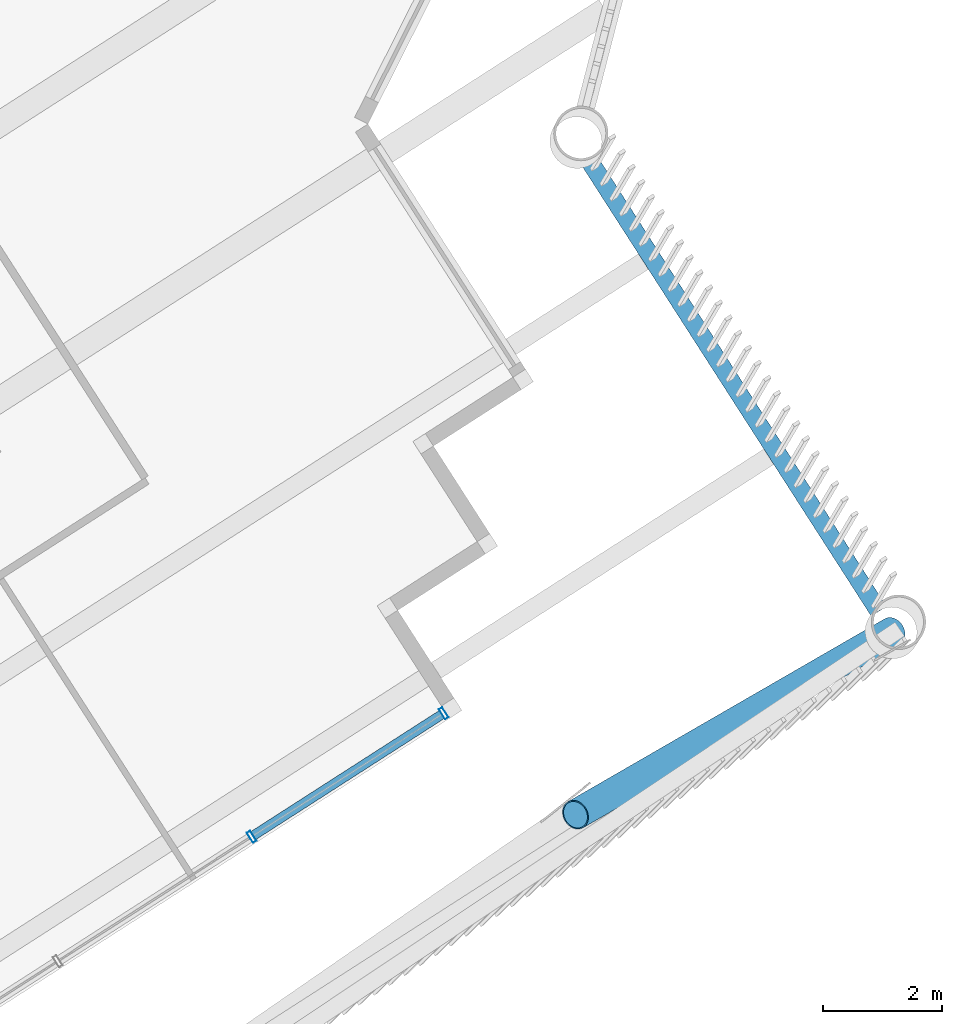
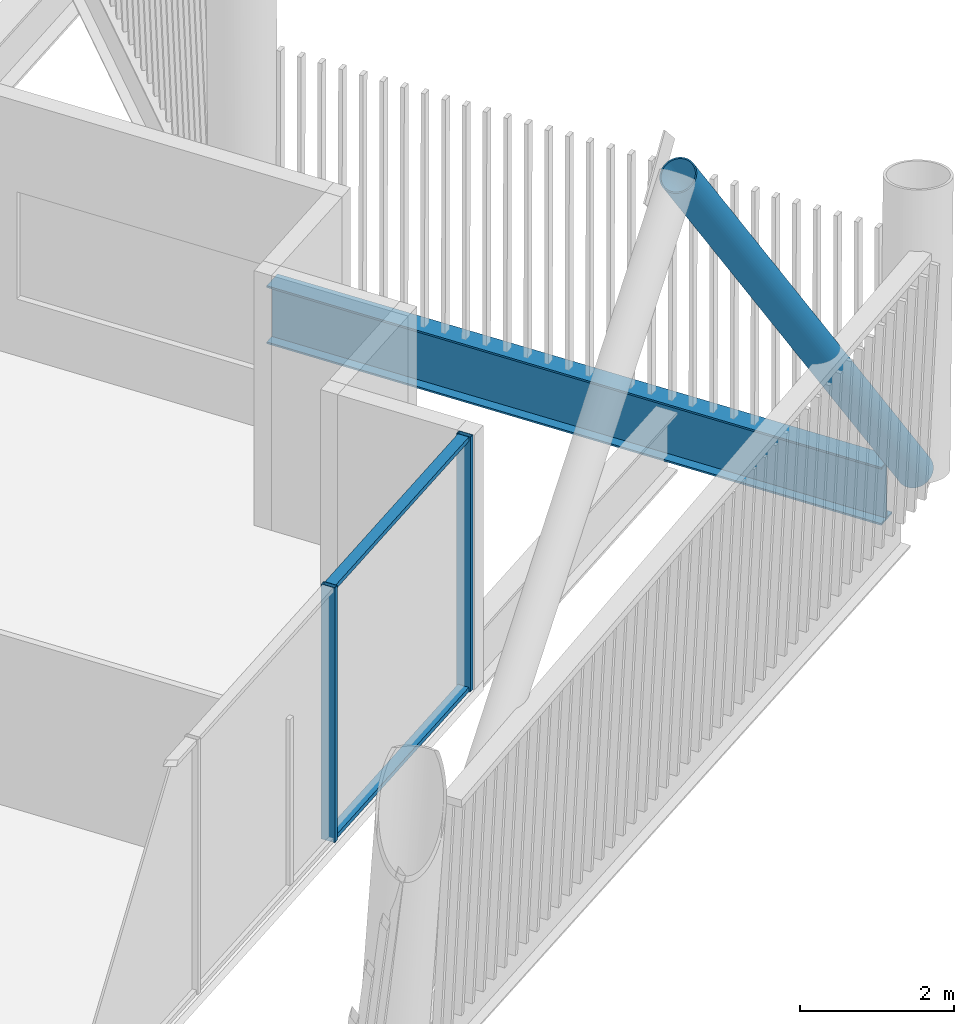
# One storey, part 15 of 35: 5 members, 1 beam, 1 element without a shape of its own.
"""IFC4 building model written with IfcOpenShell, lengths in metres."""

from ifc_helpers import new_model, si_unit, direction, frame, origin, origin_2d, place, context, subcontext, project, spatial, hollow_rectangle, hollow_circle, i_section, extrude, material, layer, layer_set, material_profile, profile_set, type_object, element, aggregate, save


model = new_model("IFC4")

# Units and contexts
model_context = context("Model", 3, precision=1e-05, world=origin(), true_north=direction((0.0, 1.0)))
body_context = subcontext(model_context, "Body", "Model", "MODEL_VIEW")
ifc_project = project(units=[si_unit("LENGTHUNIT", "METRE"), si_unit("AREAUNIT", "SQUARE_METRE"), si_unit("VOLUMEUNIT", "CUBIC_METRE"), si_unit("PLANEANGLEUNIT", "RADIAN"), si_unit("MASSUNIT", "GRAM", prefix="KILO")], contexts=[model_context])

# Site, building, storey
site_placement = place(None, origin())
site = spatial("IfcSite", under=ifc_project, at=site_placement, CompositionType="ELEMENT")
building_placement = place(site_placement, origin())
building = spatial("IfcBuilding", under=site, at=building_placement, Name="Tarsis Ring Headquarters", CompositionType="ELEMENT")
storey_placement = place(building_placement, frame((0.0, 0.0, 360.800048828125)))
storey = spatial("IfcBuildingStorey", under=building, at=storey_placement, Name="L85", CompositionType="ELEMENT", Elevation=360.800048828125)

# Curtain wall, members
ifc_material_1 = material(Name="Aluminium curtain wall", Category="aluminium")
ifc_layer = layer(ifc_material_1, 0.199951171875)
ifc_layer_set = layer_set([ifc_layer], Name="Curtain wall executive tip")
curtain_wall_type = type_object("IfcCurtainWallType", Name="Curtain wall executive tip", PredefinedType="NOTDEFINED", material=ifc_layer_set)
curtain_wall_placement = place(storey_placement, origin())
curtain_wall = element("IfcCurtainWall", 1, at=curtain_wall_placement, inside=storey, type_object=curtain_wall_type, Name="Curtain wall L85-11", PredefinedType="NOTDEFINED")
ifc_material_2 = material(Name="Aluminium mullion", Category="aluminium")
ifc_material_profile_1 = material_profile(ifc_material_2, hollow_rectangle(XDim=0.199951171875, YDim=0.070068359375, WallThickness=0.0048828125, at=origin_2d()), Name="RHS 200x70x5")
ifc_profile_set_1 = profile_set([ifc_material_profile_1], Name="Aluminium mullion")
member_type_1 = type_object("IfcMemberType", Name="Curtain wall mullion executive tip RHS 200x70x5", PredefinedType="MULLION", material=ifc_profile_set_1)
member_1_placement = place(storey_placement, frame((20.48974609375, -24.72265625, 0.0), z_axis=(0.0, 0.0, 1.0), x_axis=(-0.540534064595, 0.841322129159, 0.0)))
member_1 = element("IfcMember", 2, at=member_1_placement, type_object=member_type_1, Name="CW-E mullion 4", PredefinedType="MULLION", context=body_context, shape_type="SweptSolid", body=[
    extrude(hollow_rectangle(XDim=0.199951171875, YDim=0.070068359375, WallThickness=0.0048828125, at=origin_2d()), origin(), (0.0, 0.0, 1.0), 4.0400390625),
])
member_2_placement = place(storey_placement, frame((23.72021484375, -22.64697265625, 0.0), z_axis=(0.0, 0.0, 1.0), x_axis=(-0.540534064595, 0.841322129159, 0.0)))
member_2 = element("IfcMember", 3, at=member_2_placement, type_object=member_type_1, Name="CW-E mullion 5", PredefinedType="MULLION", context=body_context, shape_type="SweptSolid", body=[
    extrude(hollow_rectangle(XDim=0.199951171875, YDim=0.070068359375, WallThickness=0.0048828125, at=origin_2d()), origin(), (0.0, 0.0, 1.0), 4.0400390625),
])
ifc_material_3 = material(Name="Aluminium transom", Category="aluminium")
ifc_material_profile_2 = material_profile(ifc_material_3, hollow_rectangle(XDim=0.159912109375, YDim=0.070068359375, WallThickness=0.0048828125, at=origin_2d()), Name="RHS 160x70x5")
ifc_profile_set_2 = profile_set([ifc_material_profile_2], Name="Aluminium transom")
member_type_2 = type_object("IfcMemberType", Name="Curtain wall transom executive tip RHS 160x70x5", PredefinedType="USERDEFINED", material=ifc_profile_set_2)
member_3_placement = place(storey_placement, frame((20.51904296875, -24.70361328125, 0.034912109375), z_axis=(0.841325725927, 0.540528466311, 0.0), x_axis=(-0.540528466311, 0.841325725927, 0.0)))
member_3 = element("IfcMember", 4, at=member_3_placement, type_object=member_type_2, Name="CW-E transom 4.1", ObjectType="TRANSOM", PredefinedType="USERDEFINED", context=body_context, shape_type="SweptSolid", body=[
    extrude(hollow_rectangle(XDim=0.159912109375, YDim=0.070068359375, WallThickness=0.0048828125, at=origin_2d()), origin(), (0.0, 0.0, 1.0), 3.77001953125),
])
member_4_placement = place(storey_placement, frame((20.51904296875, -24.70361328125, 4.0048828125), z_axis=(0.841325725927, 0.540528466311, 0.0), x_axis=(-0.540528466311, 0.841325725927, 0.0)))
member_4 = element("IfcMember", 5, at=member_4_placement, type_object=member_type_2, Name="CW-E transom 4.2", ObjectType="TRANSOM", PredefinedType="USERDEFINED", context=body_context, shape_type="SweptSolid", body=[
    extrude(hollow_rectangle(XDim=0.159912109375, YDim=0.070068359375, WallThickness=0.0048828125, at=origin_2d()), origin(), (0.0, 0.0, 1.0), 3.77001953125),
])
aggregate(curtain_wall, [member_1, member_2, member_3, member_4])

# Member
ifc_material_4 = material(Name="Structural steel S355", Category="steel")
ifc_material_profile_3 = material_profile(ifc_material_4, hollow_circle(Radius=0.25390625, WallThickness=0.02001953125, at=origin_2d()), Name="CHS 508x20")
ifc_profile_set_3 = profile_set([ifc_material_profile_3], Name="Structural steel S355")
member_type_3 = type_object("IfcMemberType", Name="XD X brace CHS 508x20", PredefinedType="BRACE", material=ifc_profile_set_3)
member_5_placement = place(storey_placement, frame((31.26220703125, -21.278076171875, 0.0), z_axis=(-0.511524604164, -0.295362012968, 0.806910069729), x_axis=(0.500042084857, -0.866001104718, 0.0)))
element("IfcMember", 6, at=member_5_placement, inside=storey, type_object=member_type_3, Name="X brace XD2", PredefinedType="BRACE", context=body_context, shape_type="SweptSolid", body=[
    extrude(hollow_circle(Radius=0.25390625, WallThickness=0.02001953125, at=origin_2d()), origin(), (0.0, 0.0, 1.0), 10.409912109375),
])

# Beam
ifc_material_profile_4 = material_profile(ifc_material_4, i_section(OverallWidth=0.3046875, OverallDepth=0.91943359375, WebThickness=0.017333984375, FlangeThickness=0.02783203125, at=origin_2d()), Name="W36x170")
ifc_profile_set_4 = profile_set([ifc_material_profile_4], Name="Structural steel S355")
beam_type = type_object("IfcBeamType", Name="XG Ring girder W36x170", PredefinedType="BEAM", material=ifc_profile_set_4)
beam_placement = place(storey_placement, frame((31.039794921875, -20.931884765625, -0.459716796875), z_axis=(-0.540544630634, 0.841315340579, 0.0), x_axis=(-0.841315340579, -0.540544630634, 0.0)))
element("IfcBeam", 7, at=beam_placement, inside=storey, type_object=beam_type, Name="Ring girder XG4", PredefinedType="BEAM", context=body_context, shape_type="SweptSolid", body=[
    extrude(i_section(OverallWidth=0.3046875, OverallDepth=0.91943359375, WebThickness=0.017333984375, FlangeThickness=0.02783203125, at=origin_2d()), origin(), (0.0, 0.0, 1.0), 8.981689453125),
])

save(model, "model.ifc")
